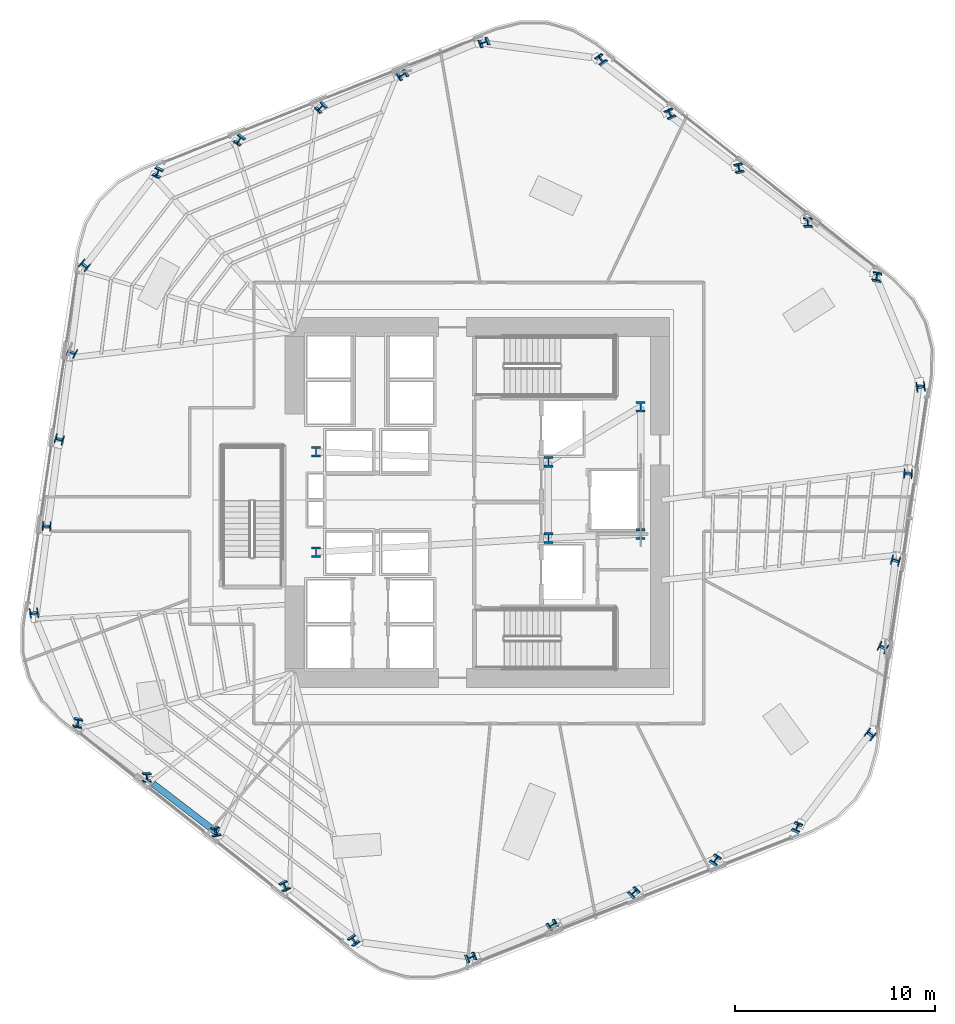
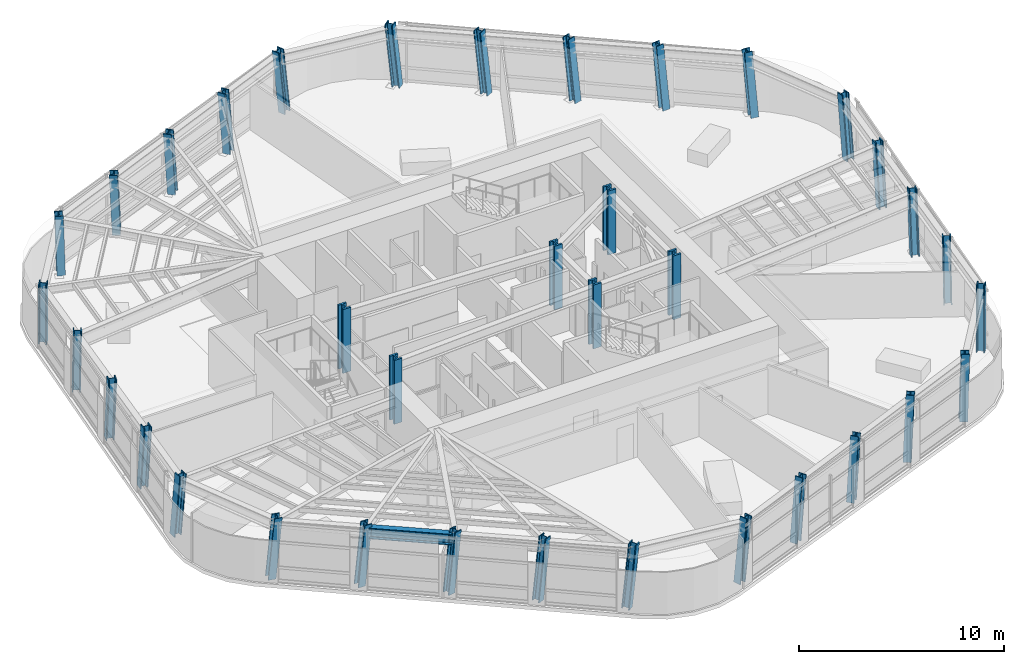
# One storey, part 1 of 17: 36 columns, 1 beam.
"""IFC4 building model written with IfcOpenShell, lengths in metres."""

from ifc_helpers import new_model, si_unit, direction, frame, origin, origin_2d, place, context, subcontext, project, spatial, i_section, extrude, material, material_profile, profile_set, type_object, element, save


model = new_model("IFC4")

# Units and contexts
model_context = context("Model", 3, precision=1e-05, world=origin(), true_north=direction((0.0, 1.0)))
body_context = subcontext(model_context, "Body", "Model", "MODEL_VIEW")
ifc_project = project(units=[si_unit("LENGTHUNIT", "METRE"), si_unit("AREAUNIT", "SQUARE_METRE"), si_unit("VOLUMEUNIT", "CUBIC_METRE"), si_unit("PLANEANGLEUNIT", "RADIAN"), si_unit("MASSUNIT", "GRAM", prefix="KILO")], contexts=[model_context])

# Site, building, storey
site_placement = place(None, origin())
site = spatial("IfcSite", under=ifc_project, at=site_placement, CompositionType="ELEMENT")
building_placement = place(site_placement, origin())
building = spatial("IfcBuilding", under=site, at=building_placement, Name="Valkerne Bourse Tower", CompositionType="ELEMENT")
storey_placement = place(building_placement, frame((0.0, 0.0, 116.199951171875)))
storey = spatial("IfcBuildingStorey", under=building, at=storey_placement, Name="L29", CompositionType="ELEMENT", Elevation=116.199951171875)

# Columns
ifc_material_1 = material(Name="Steel ASTM A913 Grade 65", Category="steel")
ifc_material_profile_1 = material_profile(ifc_material_1, i_section(OverallWidth=0.408935546875, OverallDepth=0.42431640625, WebThickness=0.03271484375, FlangeThickness=0.052490234375, FilletRadius=0.025390625, at=origin_2d()), Name="W14X283")
ifc_profile_set_1 = profile_set([ifc_material_profile_1], Name="Steel ASTM A913 Grade 65")
column_type_1 = type_object("IfcColumnType", Name="COL-W14X283", PredefinedType="COLUMN", material=ifc_profile_set_1)
column_1_placement = place(storey_placement, frame((66.768310546875, 38.081298828125, 0.010009765625), z_axis=(-0.046475649175, 0.082216259053, 0.995530261108), x_axis=(0.986536408481, -0.152658287807, 0.058663122195)))
element("IfcColumn", 1, at=column_1_placement, inside=storey, type_object=column_type_1, Name="L29 Helical Perimeter Tube Column F1-C1", PredefinedType="COLUMN", context=body_context, shape_type="SweptSolid", body=[
    extrude(i_section(OverallWidth=0.408935546875, OverallDepth=0.42431640625, WebThickness=0.03271484375, FlangeThickness=0.052490234375, FilletRadius=0.025390625, at=origin_2d()), origin(), (0.0, 0.0, 1.0), 3.798095703125),
])
column_2_placement = place(storey_placement, frame((63.33349609375, 40.8037109375, 0.010009765625), z_axis=(-0.057624781112, 0.067979233968, 0.996021188706), x_axis=(0.9978594334, 0.034819719503, 0.055354659315)))
element("IfcColumn", 2, at=column_2_placement, inside=storey, type_object=column_type_1, Name="L29 Helical Perimeter Tube Column F1-C2", PredefinedType="COLUMN", context=body_context, shape_type="SweptSolid", body=[
    extrude(i_section(OverallWidth=0.408935546875, OverallDepth=0.42431640625, WebThickness=0.03271484375, FlangeThickness=0.052490234375, FilletRadius=0.025390625, at=origin_2d()), origin(), (0.0, 0.0, 1.0), 3.796142578125),
])
column_3_placement = place(storey_placement, frame((59.898681640625, 43.5263671875, 0.010009765625), z_axis=(-0.068826640336, 0.053646185084, 0.996185213907), x_axis=(0.969821621934, 0.237714029892, 0.054203889361)))
element("IfcColumn", 3, at=column_3_placement, inside=storey, type_object=column_type_1, Name="L29 Helical Perimeter Tube Column F1-C3", PredefinedType="COLUMN", context=body_context, shape_type="SweptSolid", body=[
    extrude(i_section(OverallWidth=0.408935546875, OverallDepth=0.42431640625, WebThickness=0.03271484375, FlangeThickness=0.052490234375, FilletRadius=0.025390625, at=origin_2d()), origin(), (0.0, 0.0, 1.0), 3.79541015625),
])
column_4_placement = place(storey_placement, frame((56.463623046875, 46.248779296875, 0.010009765625), z_axis=(-0.079941599153, 0.039359821948, 0.996022160969), x_axis=(0.90122083037, 0.429811149064, 0.055347909145)))
element("IfcColumn", 4, at=column_4_placement, inside=storey, type_object=column_type_1, Name="L29 Helical Perimeter Tube Column F1-C4", PredefinedType="COLUMN", context=body_context, shape_type="SweptSolid", body=[
    extrude(i_section(OverallWidth=0.408935546875, OverallDepth=0.42431640625, WebThickness=0.03271484375, FlangeThickness=0.052490234375, FilletRadius=0.025390625, at=origin_2d()), origin(), (0.0, 0.0, 1.0), 3.796142578125),
])
for number, where, z_axis, x_axis, name in (
    (5, (53.02880859375, 48.97119140625, 0.010009765625), (-0.091086862807, 0.025069778754, 0.995527342476), (0.804162841809, 0.591505299942, 0.058682228958), "L29 Helical Perimeter Tube Column F1-C5"),
    (6, (47.1875, 49.833740234375, 0.010009765625), (-0.094429857393, 0.000899944182, 0.99553111058), (-0.357602163191, 0.933226762383, -0.03476352763), "L29 Helical Perimeter Tube Column F2-C1"),
):
    element("IfcColumn", number, at=place(storey_placement, frame(where, z_axis=z_axis, x_axis=x_axis)), inside=storey, type_object=column_type_1, Name=name, PredefinedType="COLUMN", context=body_context, shape_type="SweptSolid", body=[
        extrude(i_section(OverallWidth=0.408935546875, OverallDepth=0.42431640625, WebThickness=0.03271484375, FlangeThickness=0.052490234375, FilletRadius=0.025390625, at=origin_2d()), origin(), (0.0, 0.0, 1.0), 3.798095703125),
    ])
column_5_placement = place(storey_placement, frame((43.1123046875, 48.220458984375, 0.010009765625), z_axis=(-0.087723088055, -0.015949652374, 0.996017202869), x_axis=(-0.527067628629, 0.849189261307, -0.032822451646)))
element("IfcColumn", 7, at=column_5_placement, inside=storey, type_object=column_type_1, Name="L29 Helical Perimeter Tube Column F2-C2", PredefinedType="COLUMN", context=body_context, shape_type="SweptSolid", body=[
    extrude(i_section(OverallWidth=0.408935546875, OverallDepth=0.42431640625, WebThickness=0.03271484375, FlangeThickness=0.052490234375, FilletRadius=0.025390625, at=origin_2d()), origin(), (0.0, 0.0, 1.0), 3.796142578125),
])
column_6_placement = place(storey_placement, frame((39.037109375, 46.60693359375, 0.010009765625), z_axis=(-0.080919175739, -0.032805071245, 0.996180663483), x_axis=(-0.689174266727, 0.723882343254, -0.032143167333)))
element("IfcColumn", 8, at=column_6_placement, inside=storey, type_object=column_type_1, Name="L29 Helical Perimeter Tube Column F2-C3", PredefinedType="COLUMN", context=body_context, shape_type="SweptSolid", body=[
    extrude(i_section(OverallWidth=0.408935546875, OverallDepth=0.42431640625, WebThickness=0.03271484375, FlangeThickness=0.052490234375, FilletRadius=0.025390625, at=origin_2d()), origin(), (0.0, 0.0, 1.0), 3.79541015625),
])
column_7_placement = place(storey_placement, frame((34.9619140625, 44.993408203125, 0.010009765625), z_axis=(-0.074088777517, -0.049585457869, 0.996018140103), x_axis=(-0.821851206793, 0.56875612838, -0.032818597226)))
element("IfcColumn", 9, at=column_7_placement, inside=storey, type_object=column_type_1, Name="L29 Helical Perimeter Tube Column F2-C4", PredefinedType="COLUMN", context=body_context, shape_type="SweptSolid", body=[
    extrude(i_section(OverallWidth=0.408935546875, OverallDepth=0.42431640625, WebThickness=0.03271484375, FlangeThickness=0.052490234375, FilletRadius=0.025390625, at=origin_2d()), origin(), (0.0, 0.0, 1.0), 3.796142578125),
])
column_8_placement = place(storey_placement, frame((30.88671875, 43.3798828125, 0.010009765625), z_axis=(-0.06723855019, -0.066338607836, 0.995529088715), x_axis=(-0.913886567433, 0.404477803437, -0.034771373177)))
element("IfcColumn", 10, at=column_8_placement, inside=storey, type_object=column_type_1, Name="L29 Helical Perimeter Tube Column F2-C5", PredefinedType="COLUMN", context=body_context, shape_type="SweptSolid", body=[
    extrude(i_section(OverallWidth=0.408935546875, OverallDepth=0.42431640625, WebThickness=0.03271484375, FlangeThickness=0.052490234375, FilletRadius=0.025390625, at=origin_2d()), origin(), (0.0, 0.0, 1.0), 3.798095703125),
])
column_9_placement = place(storey_placement, frame((27.218994140625, 38.75244140625, 0.010009765625), z_axis=(-0.047954308853, -0.081316622922, 0.995534023075), x_axis=(-0.626110511518, -0.774121310244, -0.093390708275)))
element("IfcColumn", 11, at=column_9_placement, inside=storey, type_object=column_type_1, Name="L29 Helical Perimeter Tube Column F3-C1", PredefinedType="COLUMN", context=body_context, shape_type="SweptSolid", body=[
    extrude(i_section(OverallWidth=0.408935546875, OverallDepth=0.42431640625, WebThickness=0.03271484375, FlangeThickness=0.052490234375, FilletRadius=0.025390625, at=origin_2d()), origin(), (0.0, 0.0, 1.0), 3.7978515625),
])
column_10_placement = place(storey_placement, frame((26.578857421875, 34.41650390625, 0.010009765625), z_axis=(-0.030034279462, -0.08392876809, 0.996019027903), x_axis=(-0.469530573469, -0.878501289816, -0.088184603927)))
element("IfcColumn", 12, at=column_10_placement, inside=storey, type_object=column_type_1, Name="L29 Helical Perimeter Tube Column F3-C2", PredefinedType="COLUMN", context=body_context, shape_type="SweptSolid", body=[
    extrude(i_section(OverallWidth=0.408935546875, OverallDepth=0.42431640625, WebThickness=0.03271484375, FlangeThickness=0.052490234375, FilletRadius=0.025390625, at=origin_2d()), origin(), (0.0, 0.0, 1.0), 3.796142578125),
])
column_11_placement = place(storey_placement, frame((25.9384765625, 30.08056640625, 0.010009765625), z_axis=(-0.012092874409, -0.086451187268, 0.996182691382), x_axis=(-0.2811974212, -0.955756547768, -0.086356422508)))
element("IfcColumn", 13, at=column_11_placement, inside=storey, type_object=column_type_1, Name="L29 Helical Perimeter Tube Column F3-C3", PredefinedType="COLUMN", context=body_context, shape_type="SweptSolid", body=[
    extrude(i_section(OverallWidth=0.408935546875, OverallDepth=0.42431640625, WebThickness=0.03271484375, FlangeThickness=0.052490234375, FilletRadius=0.025390625, at=origin_2d()), origin(), (0.0, 0.0, 1.0), 3.79541015625),
])
column_12_placement = place(storey_placement, frame((25.298095703125, 25.74462890625, 0.010009765625), z_axis=(0.00591681689, -0.088945193032, 0.996018947568), x_axis=(-0.080358982935, -0.992857367842, -0.088185491915)))
element("IfcColumn", 14, at=column_12_placement, inside=storey, type_object=column_type_1, Name="L29 Helical Perimeter Tube Column F3-C4", PredefinedType="COLUMN", context=body_context, shape_type="SweptSolid", body=[
    extrude(i_section(OverallWidth=0.408935546875, OverallDepth=0.42431640625, WebThickness=0.03271484375, FlangeThickness=0.052490234375, FilletRadius=0.025390625, at=origin_2d()), origin(), (0.0, 0.0, 1.0), 3.796142578125),
])
for number, where, z_axis, x_axis, name in (
    (15, (24.657958984375, 21.40869140625, 0.010009765625), (0.023848443566, -0.091408320084, 0.995527885475), (0.107273123723, -0.989827607707, -0.093454716024), "L29 Helical Perimeter Tube Column F3-C5"),
    (16, (26.83154296875, 15.918701171875, 0.010009765625), (0.046475649175, -0.082216259053, 0.995530261108), (0.986536408481, -0.152658287807, -0.058663122195), "L29 Helical Perimeter Tube Column F4-C1"),
):
    element("IfcColumn", number, at=place(storey_placement, frame(where, z_axis=z_axis, x_axis=x_axis)), inside=storey, type_object=column_type_1, Name=name, PredefinedType="COLUMN", context=body_context, shape_type="SweptSolid", body=[
        extrude(i_section(OverallWidth=0.408935546875, OverallDepth=0.42431640625, WebThickness=0.03271484375, FlangeThickness=0.052490234375, FilletRadius=0.025390625, at=origin_2d()), origin(), (0.0, 0.0, 1.0), 3.798095703125),
    ])
column_13_placement = place(storey_placement, frame((30.2666015625, 13.1962890625, 0.010009765625), z_axis=(0.057624781112, -0.067979233968, 0.996021188706), x_axis=(0.9978594334, 0.034819719503, -0.055354659315)))
element("IfcColumn", 17, at=column_13_placement, inside=storey, type_object=column_type_1, Name="L29 Helical Perimeter Tube Column F4-C2", PredefinedType="COLUMN", context=body_context, shape_type="SweptSolid", body=[
    extrude(i_section(OverallWidth=0.408935546875, OverallDepth=0.42431640625, WebThickness=0.03271484375, FlangeThickness=0.052490234375, FilletRadius=0.025390625, at=origin_2d()), origin(), (0.0, 0.0, 1.0), 3.796142578125),
])
column_14_placement = place(storey_placement, frame((33.701416015625, 10.4736328125, 0.010009765625), z_axis=(0.068826640336, -0.053646185084, 0.996185213907), x_axis=(0.969821621934, 0.237714029892, -0.054203889361)))
element("IfcColumn", 18, at=column_14_placement, inside=storey, type_object=column_type_1, Name="L29 Helical Perimeter Tube Column F4-C3", PredefinedType="COLUMN", context=body_context, shape_type="SweptSolid", body=[
    extrude(i_section(OverallWidth=0.408935546875, OverallDepth=0.42431640625, WebThickness=0.03271484375, FlangeThickness=0.052490234375, FilletRadius=0.025390625, at=origin_2d()), origin(), (0.0, 0.0, 1.0), 3.79541015625),
])
column_15_placement = place(storey_placement, frame((37.13623046875, 7.751220703125, 0.010009765625), z_axis=(0.080005501089, -0.039359619507, 0.996017038081), x_axis=(0.901080986706, 0.430099671022, -0.055383466701)))
element("IfcColumn", 19, at=column_15_placement, inside=storey, type_object=column_type_1, Name="L29 Helical Perimeter Tube Column F4-C4", PredefinedType="COLUMN", context=body_context, shape_type="SweptSolid", body=[
    extrude(i_section(OverallWidth=0.408935546875, OverallDepth=0.42431640625, WebThickness=0.03271484375, FlangeThickness=0.052490234375, FilletRadius=0.025390625, at=origin_2d()), origin(), (0.0, 0.0, 1.0), 3.796142578125),
])
column_16_placement = place(storey_placement, frame((40.5712890625, 5.02880859375, 0.010009765625), z_axis=(0.091023114095, -0.025069925492, 0.995533169481), x_axis=(0.804273188399, 0.591359037077, -0.058644076342)))
element("IfcColumn", 20, at=column_16_placement, inside=storey, type_object=column_type_1, Name="L29 Helical Perimeter Tube Column F4-C5", PredefinedType="COLUMN", context=body_context, shape_type="SweptSolid", body=[
    extrude(i_section(OverallWidth=0.408935546875, OverallDepth=0.42431640625, WebThickness=0.03271484375, FlangeThickness=0.052490234375, FilletRadius=0.025390625, at=origin_2d()), origin(), (0.0, 0.0, 1.0), 3.7978515625),
])
column_17_placement = place(storey_placement, frame((46.41259765625, 4.166259765625, 0.010009765625), z_axis=(0.094429857393, -0.000899944182, 0.99553111058), x_axis=(-0.357602163191, 0.933226762383, 0.03476352763)))
element("IfcColumn", 21, at=column_17_placement, inside=storey, type_object=column_type_1, Name="L29 Helical Perimeter Tube Column F5-C1", PredefinedType="COLUMN", context=body_context, shape_type="SweptSolid", body=[
    extrude(i_section(OverallWidth=0.408935546875, OverallDepth=0.42431640625, WebThickness=0.03271484375, FlangeThickness=0.052490234375, FilletRadius=0.025390625, at=origin_2d()), origin(), (0.0, 0.0, 1.0), 3.798095703125),
])
column_18_placement = place(storey_placement, frame((50.48779296875, 5.779541015625, 0.010009765625), z_axis=(0.087659269312, 0.015949742325, 0.996022820132), x_axis=(-0.527179309309, 0.849120827032, 0.032799343545)))
element("IfcColumn", 22, at=column_18_placement, inside=storey, type_object=column_type_1, Name="L29 Helical Perimeter Tube Column F5-C2", PredefinedType="COLUMN", context=body_context, shape_type="SweptSolid", body=[
    extrude(i_section(OverallWidth=0.408935546875, OverallDepth=0.42431640625, WebThickness=0.03271484375, FlangeThickness=0.052490234375, FilletRadius=0.025390625, at=origin_2d()), origin(), (0.0, 0.0, 1.0), 3.796142578125),
])
column_19_placement = place(storey_placement, frame((54.56298828125, 7.39306640625, 0.010009765625), z_axis=(0.080855272756, 0.03280524193, 0.996185846602), x_axis=(-0.68937649644, 0.723690722876, 0.032121391319)))
element("IfcColumn", 23, at=column_19_placement, inside=storey, type_object=column_type_1, Name="L29 Helical Perimeter Tube Column F5-C3", PredefinedType="COLUMN", context=body_context, shape_type="SweptSolid", body=[
    extrude(i_section(OverallWidth=0.408935546875, OverallDepth=0.42431640625, WebThickness=0.03271484375, FlangeThickness=0.052490234375, FilletRadius=0.025390625, at=origin_2d()), origin(), (0.0, 0.0, 1.0), 3.79541015625),
])
column_20_placement = place(storey_placement, frame((58.63818359375, 9.006591796875, 0.010009765625), z_axis=(0.074024816909, 0.049585694037, 0.996022883988), x_axis=(-0.822080935839, 0.568425153588, 0.03279908076)))
element("IfcColumn", 24, at=column_20_placement, inside=storey, type_object=column_type_1, Name="L29 Helical Perimeter Tube Column F5-C4", PredefinedType="COLUMN", context=body_context, shape_type="SweptSolid", body=[
    extrude(i_section(OverallWidth=0.408935546875, OverallDepth=0.42431640625, WebThickness=0.03271484375, FlangeThickness=0.052490234375, FilletRadius=0.025390625, at=origin_2d()), origin(), (0.0, 0.0, 1.0), 3.796142578125),
])
for number, where, z_axis, x_axis, name in (
    (25, (62.71337890625, 10.6201171875, 0.010009765625), (0.067174558797, 0.06633889443, 0.995533389564), (-0.914081010612, 0.40403962442, 0.034754682229), "L29 Helical Perimeter Tube Column F5-C5"),
    (26, (66.380859375, 15.24755859375, 0.010009765625), (0.047954308853, 0.081316622922, 0.995534023075), (-0.626110511518, -0.774121310244, 0.093390708275), "L29 Helical Perimeter Tube Column F6-C1"),
):
    element("IfcColumn", number, at=place(storey_placement, frame(where, z_axis=z_axis, x_axis=x_axis)), inside=storey, type_object=column_type_1, Name=name, PredefinedType="COLUMN", context=body_context, shape_type="SweptSolid", body=[
        extrude(i_section(OverallWidth=0.408935546875, OverallDepth=0.42431640625, WebThickness=0.03271484375, FlangeThickness=0.052490234375, FilletRadius=0.025390625, at=origin_2d()), origin(), (0.0, 0.0, 1.0), 3.7978515625),
    ])
column_21_placement = place(storey_placement, frame((67.021240234375, 19.58349609375, 0.010009765625), z_axis=(0.030034279462, 0.08392876809, 0.996019027903), x_axis=(-0.469530573469, -0.878501289816, 0.088184603927)))
element("IfcColumn", 27, at=column_21_placement, inside=storey, type_object=column_type_1, Name="L29 Helical Perimeter Tube Column F6-C2", PredefinedType="COLUMN", context=body_context, shape_type="SweptSolid", body=[
    extrude(i_section(OverallWidth=0.408935546875, OverallDepth=0.42431640625, WebThickness=0.03271484375, FlangeThickness=0.052490234375, FilletRadius=0.025390625, at=origin_2d()), origin(), (0.0, 0.0, 1.0), 3.796142578125),
])
column_22_placement = place(storey_placement, frame((67.66162109375, 23.91943359375, 0.010009765625), z_axis=(0.012028559941, 0.086451254336, 0.996183464212), x_axis=(-0.280499899652, -0.955962280369, 0.086347697169)))
element("IfcColumn", 28, at=column_22_placement, inside=storey, type_object=column_type_1, Name="L29 Helical Perimeter Tube Column F6-C3", PredefinedType="COLUMN", context=body_context, shape_type="SweptSolid", body=[
    extrude(i_section(OverallWidth=0.408935546875, OverallDepth=0.42431640625, WebThickness=0.03271484375, FlangeThickness=0.052490234375, FilletRadius=0.025390625, at=origin_2d()), origin(), (0.0, 0.0, 1.0), 3.79541015625),
])
column_23_placement = place(storey_placement, frame((68.3017578125, 28.25537109375, 0.010009765625), z_axis=(-0.00591681689, 0.088945193032, 0.996018947568), x_axis=(-0.080358982935, -0.992857367842, 0.088185491915)))
element("IfcColumn", 29, at=column_23_placement, inside=storey, type_object=column_type_1, Name="L29 Helical Perimeter Tube Column F6-C4", PredefinedType="COLUMN", context=body_context, shape_type="SweptSolid", body=[
    extrude(i_section(OverallWidth=0.408935546875, OverallDepth=0.42431640625, WebThickness=0.03271484375, FlangeThickness=0.052490234375, FilletRadius=0.025390625, at=origin_2d()), origin(), (0.0, 0.0, 1.0), 3.796142578125),
])
column_24_placement = place(storey_placement, frame((68.942138671875, 32.59130859375, 0.010009765625), z_axis=(-0.023848443566, 0.091408320084, 0.995527885475), x_axis=(0.107273123723, -0.989827607707, 0.093454716024)))
element("IfcColumn", 30, at=column_24_placement, inside=storey, type_object=column_type_1, Name="L29 Helical Perimeter Tube Column F6-C5", PredefinedType="COLUMN", context=body_context, shape_type="SweptSolid", body=[
    extrude(i_section(OverallWidth=0.408935546875, OverallDepth=0.42431640625, WebThickness=0.03271484375, FlangeThickness=0.052490234375, FilletRadius=0.025390625, at=origin_2d()), origin(), (0.0, 0.0, 1.0), 3.798095703125),
])
ifc_material_profile_2 = material_profile(ifc_material_1, i_section(OverallWidth=0.44189453125, OverallDepth=0.531005859375, WebThickness=0.06591796875, FlangeThickness=0.105712890625, FilletRadius=0.030517578125, at=origin_2d()), Name="W14X605")
ifc_profile_set_2 = profile_set([ifc_material_profile_2], Name="Steel ASTM A913 Grade 65")
column_type_2 = type_object("IfcColumnType", Name="COL-W14X605", PredefinedType="COLUMN", material=ifc_profile_set_2)
for number, where, z_axis, x_axis, name in (
    (31, (38.75, 24.39990234375, 0.005126953125), (0.0, 0.0, 1.0), (1.0, 0.0, 0.0), "L29 Core Frame Column CC-SW"),
    (32, (38.75, 29.39990234375, 0.005126953125), (0.0, 0.0, 1.0), (1.0, 0.0, 0.0), "L29 Core Frame Column CC-NW"),
    (33, (50.35009765625, 25.10009765625, 0.005126953125), (0.0, 0.0, 1.0), (1.0, 0.0, 0.0), "L29 Core Frame Column CC-CE1"),
    (34, (50.35009765625, 28.89990234375, 0.005126953125), (0.0, 0.0, 1.0), (1.0, 0.0, 0.0), "L29 Core Frame Column CC-CE2"),
    (35, (54.949951171875, 25.300048828125, 0.005126953125), (0.0, 0.0, 1.0), (1.0, 0.0, 0.0), "L29 Core Frame Column CC-SE"),
    (36, (54.949951171875, 31.64990234375, 0.005126953125), (0.0, 0.0, 1.0), (1.0, 0.0, 0.0), "L29 Core Frame Column CC-NE"),
):
    element("IfcColumn", number, at=place(storey_placement, frame(where, z_axis=z_axis, x_axis=x_axis)), inside=storey, type_object=column_type_2, Name=name, PredefinedType="COLUMN", context=body_context, shape_type="SweptSolid", body=[
        extrude(i_section(OverallWidth=0.44189453125, OverallDepth=0.531005859375, WebThickness=0.06591796875, FlangeThickness=0.105712890625, FilletRadius=0.030517578125, at=origin_2d()), origin(), (0.0, 0.0, 1.0), 3.794921875),
    ])

# Beam
ifc_material_2 = material(Name="Steel ASTM A992", Category="steel")
ifc_material_profile_3 = material_profile(ifc_material_2, i_section(OverallWidth=0.330078125, OverallDepth=0.647705078125, WebThickness=0.0205078125, FlangeThickness=0.037109375, FilletRadius=0.020263671875, at=origin_2d()), Name="W24X192")
ifc_profile_set_3 = profile_set([ifc_material_profile_3], Name="Steel ASTM A992")
beam_type = type_object("IfcBeamType", Name="BM-W24X192", PredefinedType="SPANDREL", material=ifc_profile_set_3)
beam_placement = place(storey_placement, frame((30.6201171875, 12.834716796875, 3.25634765625), z_axis=(0.79335748069, -0.608756033098, 0.0), x_axis=(0.608756033098, 0.79335748069, 0.0)))
element("IfcBeam", 37, at=beam_placement, inside=storey, type_object=beam_type, Name="L29 Hexagonal Spandrel Ring Beam 16", PredefinedType="SPANDREL", context=body_context, shape_type="SweptSolid", body=[
    extrude(i_section(OverallWidth=0.330078125, OverallDepth=0.647705078125, WebThickness=0.0205078125, FlangeThickness=0.037109375, FilletRadius=0.020263671875, at=origin_2d()), origin(), (0.0, 0.0, 1.0), 4.04296875),
])

save(model, "model.ifc")
